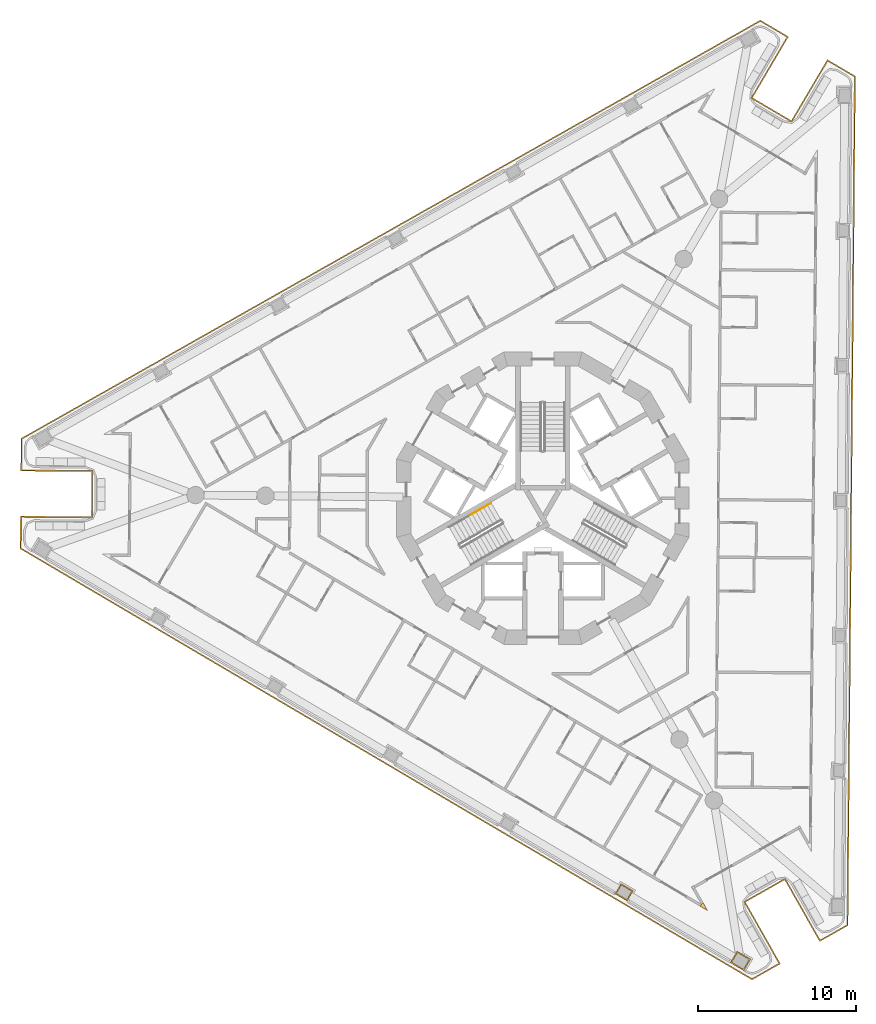
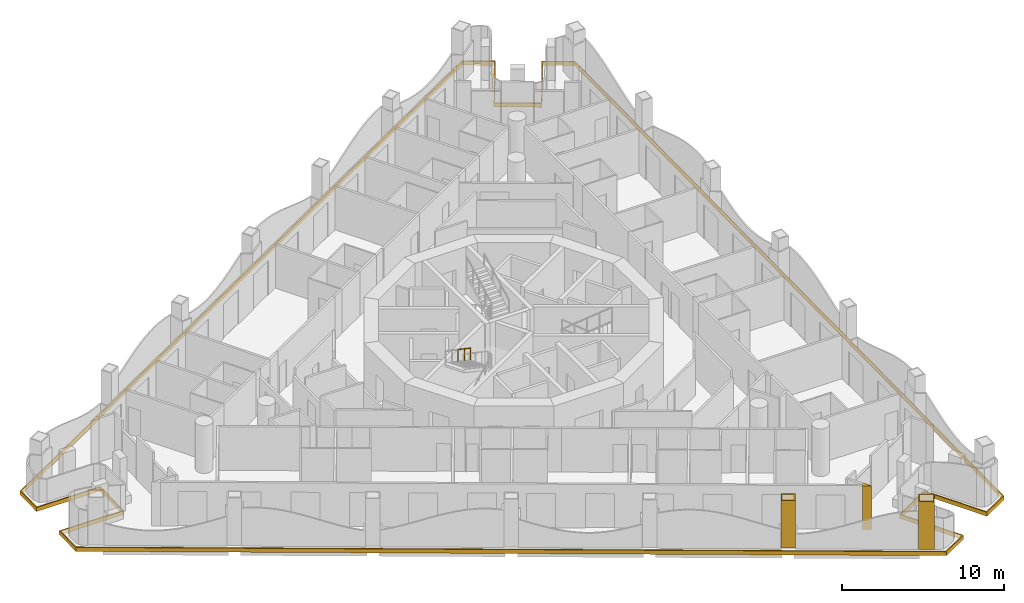
# One storey, part 13 of 17: 4 coverings, 1 railing.
"""IFC4 building model written with IfcOpenShell, lengths in metres."""

import ifcopenshell
import ifcopenshell.guid

model = None  # the IFC model being written
_history = None  # IfcOwnerHistory: only IFC2X3 demands one
_inside = {}  # id of a spatial element -> (the spatial element, [elements in it])
_under = {}  # id of a project, library or spatial element -> (it, [spatial elements below it])
_declared = {}  # id of a project -> (the project, [libraries it declares])
_typed = {}  # id of a type object -> (the type object, [elements of that type])
_made_of = {}  # id of a material, layer set ... -> (it, [elements and type objects made of it])


def new_model(schema):
    """Start an empty IFC model of exactly this schema.

    Asked for "IFC4X3", IfcOpenShell would pick the latest addendum, in which some entities
    have other attributes; the version numbers below select the first issue.
    IFC2X3 requires an IfcOwnerHistory on every rooted entity: one is made here for all.
    """
    global model, _history
    if schema == "IFC4X3":
        model = ifcopenshell.file(schema_version=(4, 3, 0, 0))
    else:
        model = ifcopenshell.file(schema=schema)
    _inside.clear()
    _under.clear()
    _declared.clear()
    _typed.clear()
    _made_of.clear()
    _history = None
    if model.schema == "IFC2X3":
        org = make("IfcOrganization", Name="unknown")
        user = make(
            "IfcPersonAndOrganization",
            ThePerson=make("IfcPerson", FamilyName="unknown"),
            TheOrganization=org,
        )
        app = make(
            "IfcApplication",
            ApplicationDeveloper=org,
            Version="unknown",
            ApplicationFullName="unknown",
            ApplicationIdentifier="unknown",
        )
        _history = make(
            "IfcOwnerHistory",
            OwningUser=user,
            OwningApplication=app,
            ChangeAction="ADDED",
            CreationDate=0,
        )
    return model


def make(cls, **values):
    """One entity of the class cls with the attributes given. An attribute that is None is left unset."""
    return model.create_entity(
        cls, **{name: value for name, value in values.items() if value is not None}
    )


def rooted(cls, **values):
    """An entity with a GlobalId (a new one), such as an element, a storey or a relation."""
    return make(cls, GlobalId=ifcopenshell.guid.new(), OwnerHistory=_history, **values)


def si_unit(unit_type, name, prefix=None):
    """IfcSIUnit, for example si_unit("LENGTHUNIT", "METRE", prefix="MILLI")."""
    return make("IfcSIUnit", UnitType=unit_type, Prefix=prefix, Name=name)


def assignment(units):
    """IfcUnitAssignment: the units of a project."""
    return None if units is None else make("IfcUnitAssignment", Units=units)


def point(xyz):
    """IfcCartesianPoint."""
    return None if xyz is None else make("IfcCartesianPoint", Coordinates=xyz)


def direction(xyz):
    """IfcDirection."""
    return None if xyz is None else make("IfcDirection", DirectionRatios=xyz)


def frame(location, z_axis=None, x_axis=None):
    """IfcAxis2Placement3D, a coordinate frame: its origin and axes. An axis left out is left unset."""
    return make(
        "IfcAxis2Placement3D",
        Location=point(location),
        Axis=direction(z_axis),
        RefDirection=direction(x_axis),
    )


def frame_2d(location, x_axis=None):
    """IfcAxis2Placement2D, a coordinate frame in the plane: its origin and x axis."""
    return make(
        "IfcAxis2Placement2D", Location=point(location), RefDirection=direction(x_axis)
    )


def origin():
    """The frame at (0, 0, 0) with its axes left unset."""
    return frame((0.0, 0.0, 0.0))


def origin_2d():
    """The frame at (0, 0) in the plane with its x axis left unset."""
    return frame_2d((0.0, 0.0))


def place(relative_to, where):
    """IfcLocalPlacement: puts the frame where relative to a parent placement (None: the world)."""
    return make(
        "IfcLocalPlacement", PlacementRelTo=relative_to, RelativePlacement=where
    )


def context(
    kind, dimensions, precision=None, world=None, true_north=None, identifier=None
):
    """IfcGeometricRepresentationContext, for example the 3D "Model" context."""
    return make(
        "IfcGeometricRepresentationContext",
        ContextIdentifier=identifier,
        ContextType=kind,
        CoordinateSpaceDimension=dimensions,
        Precision=precision,
        WorldCoordinateSystem=world,
        TrueNorth=true_north,
    )


def subcontext(parent, identifier, kind, view, scale=None):
    """IfcGeometricRepresentationSubContext, for example "Body" below "Model"."""
    return make(
        "IfcGeometricRepresentationSubContext",
        ContextIdentifier=identifier,
        ContextType=kind,
        ParentContext=parent,
        TargetScale=scale,
        TargetView=view,
    )


def project(units=None, contexts=None):
    """IfcProject with its units and contexts."""
    return rooted(
        "IfcProject",
        Name="project",
        RepresentationContexts=contexts,
        UnitsInContext=assignment(units),
    )


def spatial(cls, under=None, at=None, **own):
    """A site, building, storey or space (cls), placed at a placement, below another one or the project."""
    s = rooted(cls, ObjectPlacement=at, **own)
    if under is not None:
        _under.setdefault(under.id(), (under, []))[1].append(s)
    return s


def polyline(points):
    """IfcPolyline through the points."""
    return make("IfcPolyline", Points=[point(p) for p in points])


def profile(cls, at=None, kind="AREA", **sizes):
    """A parametric profile (cls). Its sizes go by their IFC names, for example OverallWidth=200.0."""
    return make(cls, ProfileType=kind, Position=at, **sizes)


def circle(**sizes):
    """IfcCircleProfileDef."""
    return profile("IfcCircleProfileDef", **sizes)


def outline(outer, holes=None, kind="AREA"):
    """IfcArbitraryClosedProfileDef: a profile drawn as a closed curve; with holes, ...WithVoids."""
    if holes is None:
        return make("IfcArbitraryClosedProfileDef", ProfileType=kind, OuterCurve=outer)
    return make(
        "IfcArbitraryProfileDefWithVoids",
        ProfileType=kind,
        OuterCurve=outer,
        InnerCurves=holes,
    )


def extrude(swept, where, along, depth):
    """IfcExtrudedAreaSolid: the profile swept, set in the frame where, extruded along a direction by depth."""
    return make(
        "IfcExtrudedAreaSolid",
        SweptArea=swept,
        Position=where,
        ExtrudedDirection=direction(along),
        Depth=depth,
    )


def shape(context_of_items, identifier, shape_type, items):
    """IfcShapeRepresentation: the items that make up one representation, for example the "Body"."""
    return make(
        "IfcShapeRepresentation",
        ContextOfItems=context_of_items,
        RepresentationIdentifier=identifier,
        RepresentationType=shape_type,
        Items=items,
    )


def material(Name=None, Category=None):
    """IfcMaterial."""
    return make("IfcMaterial", Name=Name, Category=Category)


def layer(
    of_material, thickness, ventilated=None, Name=None, Category=None, Priority=None
):
    """IfcMaterialLayer: one layer of a wall or slab, of a material (None: an air gap)."""
    return make(
        "IfcMaterialLayer",
        Material=of_material,
        LayerThickness=thickness,
        IsVentilated=ventilated,
        Name=Name,
        Category=Category,
        Priority=Priority,
    )


def layer_set(layers, Name=None):
    """IfcMaterialLayerSet."""
    return make("IfcMaterialLayerSet", MaterialLayers=layers, LayerSetName=Name)


def made_of(thing, what):
    """Note that an element or type object is made of a material, layer set ...; save() writes the relation."""
    if what is not None:
        _made_of.setdefault(what.id(), (what, []))[1].append(thing)
    return thing


def type_object(cls, material=None, **own):
    """A type object (cls), such as IfcWallType, which elements share."""
    return made_of(rooted(cls, **own), material)


def element(
    cls,
    number,
    at=None,
    inside=None,
    cuts=None,
    type_object=None,
    material=None,
    context=None,
    identifier="Body",
    shape_type=None,
    held_by="IfcProductDefinitionShape",
    body=None,
    shapes=None,
    **own,
):
    """One element of the class cls, such as IfcWall. Its Tag is "e" and its number.

    at: its placement. inside: the storey or other place that contains it. cuts: it is an
    opening in that element (IfcRelVoidsElement). A single representation is given by context,
    identifier, shape_type and body (its items); several are given by shapes. held_by: the class
    of the entity that holds the representations. save() writes the other relations.
    """
    e = rooted(cls, Tag="e%d" % number, ObjectPlacement=at, **own)
    if body is not None:
        shapes = [shape(context, identifier, shape_type, body)]
    if shapes is not None:
        e.Representation = make(held_by, Representations=shapes)
    if inside is not None:
        _inside.setdefault(inside.id(), (inside, []))[1].append(e)
    if cuts is not None:
        rooted(
            "IfcRelVoidsElement", RelatingBuildingElement=cuts, RelatedOpeningElement=e
        )
    if type_object is not None:
        _typed.setdefault(type_object.id(), (type_object, []))[1].append(e)
    return made_of(e, material)


def aggregate(whole, parts):
    """IfcRelAggregates: a whole, such as a stair, and the parts it consists of."""
    return rooted("IfcRelAggregates", RelatingObject=whole, RelatedObjects=parts)


def save(model, path):
    """Write the relations noted so far, then the file.

    IfcRelAggregates (storeys below a building ...), IfcRelContainedInSpatialStructure (elements
    in a storey), IfcRelDefinesByType, IfcRelAssociatesMaterial and IfcRelDeclares: one each for
    every whole, place, type object, material and project.
    """
    for whole, parts in _under.values():
        aggregate(whole, parts)
    for where, things in _inside.values():
        rooted(
            "IfcRelContainedInSpatialStructure",
            RelatedElements=things,
            RelatingStructure=where,
        )
    for kind, things in _typed.values():
        rooted("IfcRelDefinesByType", RelatedObjects=things, RelatingType=kind)
    for what, things in _made_of.values():
        rooted("IfcRelAssociatesMaterial", RelatedObjects=things, RelatingMaterial=what)
    for by, libraries in _declared.values():
        rooted("IfcRelDeclares", RelatingContext=by, RelatedDefinitions=libraries)
    model.write(path)


model = new_model("IFC4")

# Units and contexts
model_context = context("Model", 3, precision=1e-05, world=origin(), true_north=direction((0.0, 1.0)))
body_context = subcontext(model_context, "Body", "Model", "MODEL_VIEW")
ifc_project = project(units=[si_unit("LENGTHUNIT", "METRE"), si_unit("AREAUNIT", "SQUARE_METRE"), si_unit("VOLUMEUNIT", "CUBIC_METRE"), si_unit("PLANEANGLEUNIT", "RADIAN"), si_unit("MASSUNIT", "GRAM", prefix="KILO")], contexts=[model_context])

# Site, building, storey
site_placement = place(None, origin())
site = spatial("IfcSite", under=ifc_project, at=site_placement, CompositionType="ELEMENT")
building_placement = place(site_placement, origin())
building = spatial("IfcBuilding", under=site, at=building_placement, Name="Trine Commons Tower", CompositionType="ELEMENT")
storey_placement = place(building_placement, frame((0.0, 0.0, 168.300048828125)))
storey = spatial("IfcBuildingStorey", under=building, at=storey_placement, Name="L43", CompositionType="ELEMENT", Elevation=168.300048828125)

# Coverings
ifc_material_1 = material(Name="Aluminium-framed insulated wall panel", Category="aluminium")
ifc_layer_1 = layer(ifc_material_1, 0.14990234375)
ifc_layer_set_1 = layer_set([ifc_layer_1], Name="Aluminium-framed insulated wall panel")
covering_type_1 = type_object("IfcCoveringType", Name="Glazing corner post, aluminium", PredefinedType="CLADDING", material=ifc_layer_set_1)
covering_1_placement = place(storey_placement, origin())
element("IfcCovering", 1, at=covering_1_placement, inside=storey, type_object=covering_type_1, Name="Glazing corner post 5-12", PredefinedType="CLADDING", context=body_context, shape_type="SweptSolid", body=[
    extrude(outline(polyline([(89.97265625, 36.6083984375), (90.455078125, 36.32421875), (90.179443359375, 36.811279296875), (90.048828125, 36.737548828125), (89.97265625, 36.6083984375)])), origin(), (0.0, 0.0, 1.0), 3.300048828125),
])
ifc_material_2 = material(Name="Limestone, honed", Category="masonry")
ifc_layer_2 = layer(ifc_material_2, 0.074951171875)
ifc_layer_set_2 = layer_set([ifc_layer_2], Name="Limestone, honed")
covering_type_2 = type_object("IfcCoveringType", Name="Limestone column cladding 75", PredefinedType="CLADDING", material=ifc_layer_set_2)
covering_2_placement = place(storey_placement, origin())
element("IfcCovering", 2, at=covering_2_placement, inside=storey, type_object=covering_type_2, Name="Limestone pier cladding 5-01", PredefinedType="CLADDING", context=body_context, shape_type="SweptSolid", body=[
    extrude(outline(polyline([(92.327392578125, 33.753173828125), (91.89599609375, 33.020751953125), (92.757568359375, 32.51318359375), (93.18896484375, 33.24560546875), (92.327392578125, 33.753173828125)]), holes=[polyline([(92.35400390625, 33.650390625), (91.998779296875, 33.047119140625), (92.731201171875, 32.61572265625), (93.086181640625, 33.218994140625), (92.35400390625, 33.650390625)])]), origin(), (0.0, 0.0, 1.0), 3.599853515625),
])
covering_3_placement = place(storey_placement, origin())
element("IfcCovering", 3, at=covering_3_placement, inside=storey, type_object=covering_type_2, Name="Limestone pier cladding 5-02", PredefinedType="CLADDING", context=body_context, shape_type="SweptSolid", body=[
    extrude(outline(polyline([(84.96044921875, 38.03466796875), (84.57958984375, 37.388427734375), (85.355224609375, 36.931640625), (85.73583984375, 37.577880859375), (84.96044921875, 38.03466796875)]), holes=[polyline([(84.987060546875, 37.931884765625), (84.682373046875, 37.414794921875), (85.32861328125, 37.0341796875), (85.63330078125, 37.55126953125), (84.987060546875, 37.931884765625)])]), origin(), (0.0, 0.0, 1.0), 3.599853515625),
])
ifc_layer_3 = layer(ifc_material_2, 0.074951171875)
ifc_layer_set_3 = layer_set([ifc_layer_3], Name="Limestone, honed")
covering_type_3 = type_object("IfcCoveringType", Name="Limestone spandrel panel 75", PredefinedType="CLADDING", material=ifc_layer_set_3)
covering_4_placement = place(storey_placement, frame((0.0, 0.0, -0.300048828125)))
element("IfcCovering", 4, at=covering_4_placement, inside=storey, type_object=covering_type_3, Name="Limestone spandrel panel 5-01", PredefinedType="CLADDING", context=body_context, shape_type="SweptSolid", body=[
    extrude(outline(polyline([(95.34814453125, 38.26611328125), (97.564208984375, 34.349365234375), (99.376708984375, 35.374755859375), (99.846923828125, 89.282958984375), (98.052734375, 90.33984375), (95.768798828125, 86.46240234375), (93.313232421875, 87.908935546875), (95.59716796875, 91.786376953125), (93.802734375, 92.84326171875), (46.8818359375, 66.296630859375), (46.863525390625, 64.214111328125), (51.363525390625, 64.175048828125), (51.338623046875, 61.3251953125), (46.8388671875, 61.3642578125), (46.820556640625, 59.281982421875), (93.271240234375, 31.92041015625), (95.08349609375, 32.94580078125), (92.86767578125, 36.862548828125), (95.34814453125, 38.26611328125)]), holes=[polyline([(98.079345703125, 90.237060546875), (99.771484375, 89.240234375), (99.302001953125, 35.418701171875), (97.592529296875, 34.45166015625), (95.376708984375, 38.3681640625), (92.765380859375, 36.890869140625), (94.9814453125, 32.974365234375), (93.27197265625, 32.007080078125), (46.89599609375, 59.32470703125), (46.9130859375, 61.288818359375), (51.412841796875, 61.24951171875), (51.439208984375, 64.249267578125), (46.939208984375, 64.28857421875), (46.956298828125, 66.252685546875), (93.802001953125, 92.756591796875), (95.494384765625, 91.759765625), (93.21044921875, 87.88232421875), (95.79541015625, 86.35986328125), (98.079345703125, 90.237060546875)])]), origin(), (0.0, 0.0, 1.0), 0.300048828125),
])

# Railing
ifc_material_3 = material(Name="Stainless steel handrail", Category="steel")
railing_type = type_object("IfcRailingType", Name="Stair handrail, steel 900", PredefinedType="HANDRAIL", material=ifc_material_3)
railing_placement = place(storey_placement, frame((76.72265625, 62.195556640625, 1.949951171875)))
element("IfcRailing", 5, at=railing_placement, inside=storey, type_object=railing_type, Name="L43 ST2B stair handrail 3", PredefinedType="HANDRAIL", context=body_context, shape_type="SweptSolid", body=[
    extrude(circle(Radius=0.02099609375, at=origin_2d()), frame((0.0, 0.0, 0.87890625), z_axis=(-0.76340495495, -0.440743040072, 0.472184759798), x_axis=(0.499992328818, -0.866029832698, 0.0)), (0.0, 0.0, 1.0), 1.7470703125),
    extrude(circle(Radius=0.01513671875, at=origin_2d()), origin(), (0.0, 0.0, 1.0), 0.85791015625),
    extrude(circle(Radius=0.01513671875, at=origin_2d()), frame((-0.6669921875, -0.385009765625, 0.41259765625)), (0.0, 0.0, 1.0), 0.85791015625),
    extrude(circle(Radius=0.01513671875, at=origin_2d()), frame((-1.333740234375, -0.77001953125, 0.824951171875)), (0.0, 0.0, 1.0), 0.85791015625),
])

save(model, "model.ifc")
